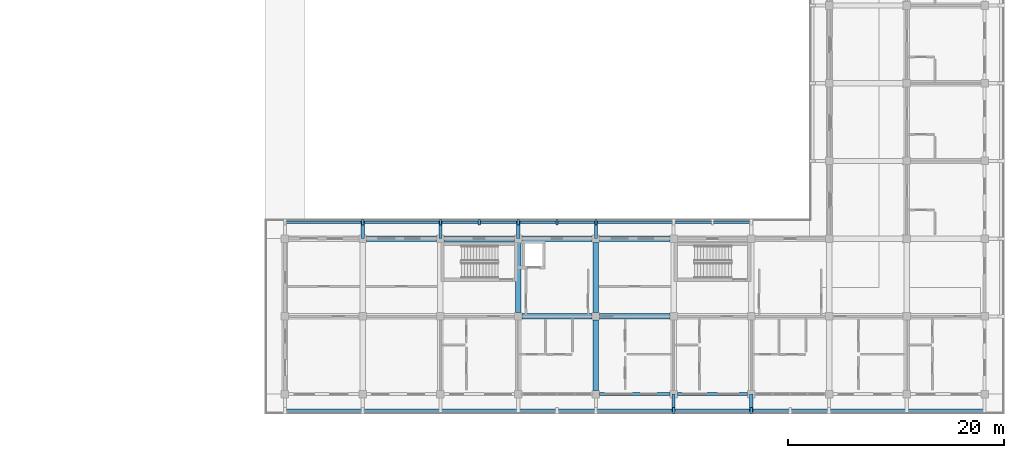
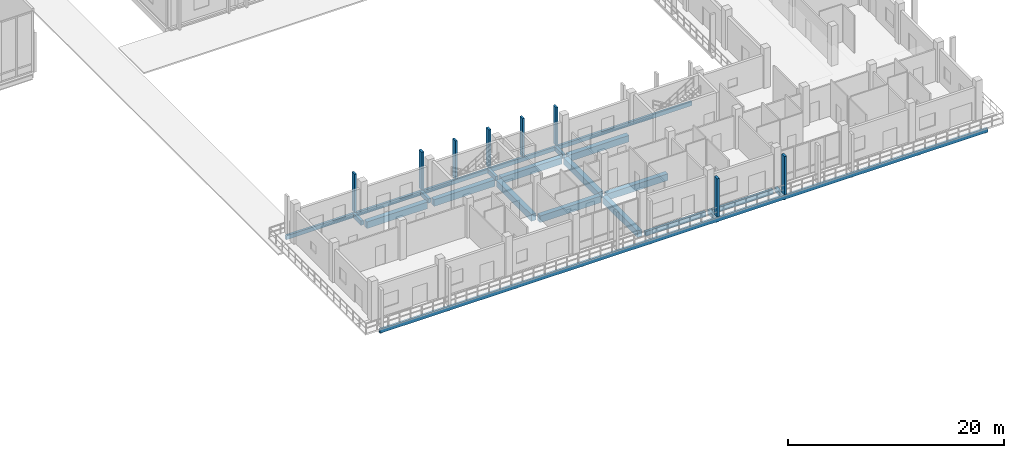
# One storey, part 47 of 110: 19 beams, 8 members.
"""IFC4 building model written with IfcOpenShell, lengths in metres."""

from ifc_helpers import new_model, si_unit, direction, frame, origin, origin_2d, place, context, subcontext, project, spatial, rectangle, extrude, material, material_profile, profile_set, type_object, element, save


model = new_model("IFC4")

# Units and contexts
model_context = context("Model", 3, precision=1e-05, world=origin(), true_north=direction((0.0, 1.0)))
body_context = subcontext(model_context, "Body", "Model", "MODEL_VIEW")
ifc_project = project(units=[si_unit("LENGTHUNIT", "METRE"), si_unit("AREAUNIT", "SQUARE_METRE"), si_unit("VOLUMEUNIT", "CUBIC_METRE"), si_unit("PLANEANGLEUNIT", "RADIAN"), si_unit("MASSUNIT", "GRAM", prefix="KILO")], contexts=[model_context])

# Site, building, storey
site_placement = place(None, origin())
site = spatial("IfcSite", under=ifc_project, at=site_placement, CompositionType="ELEMENT")
building_placement = place(site_placement, origin())
building = spatial("IfcBuilding", under=site, at=building_placement, Name="Suanplinth Sawtooth Commons", CompositionType="ELEMENT")
storey_placement = place(building_placement, frame((0.0, 0.0, 4.5)))
storey = spatial("IfcBuildingStorey", under=building, at=storey_placement, Name="L01", CompositionType="ELEMENT", Elevation=4.5)

# Beams
ifc_material_1 = material(Name="Concrete C40/50", Category="concrete")
ifc_material_profile_1 = material_profile(ifc_material_1, rectangle(XDim=0.5, YDim=0.75, at=origin_2d()), Name="RC-GDR 500x750")
ifc_profile_set_1 = profile_set([ifc_material_profile_1], Name="Concrete C40/50")
beam_type_1 = type_object("IfcBeamType", Name="B-03", PredefinedType="USERDEFINED", material=ifc_profile_set_1)
for number, where, z_axis, x_axis, name in (
    (1, (129.949951171875, 14.39990234375, -0.675048828125), (1.0, 0.0, 0.0), (0.0, 1.0, 0.0), "BMX-L01-C-18-2"),
    (2, (137.14990234375, 14.39990234375, -0.675048828125), (1.0, 0.0, 0.0), (0.0, 1.0, 0.0), "BMX-L01-C-19-2"),
    (3, (144.35009765625, 7.199951171875, -0.675048828125), (1.0, 0.0, 0.0), (0.0, 1.0, 0.0), "BMX-L01-C-20-1"),
    (4, (144.35009765625, 14.39990234375, -0.675048828125), (1.0, 0.0, 0.0), (0.0, 1.0, 0.0), "BMX-L01-C-20-2"),
    (5, (151.550048828125, 7.199951171875, -0.675048828125), (1.0, 0.0, 0.0), (0.0, 1.0, 0.0), "BMX-L01-C-21-1"),
    (6, (151.550048828125, 14.39990234375, -0.675048828125), (1.0, 0.0, 0.0), (0.0, 1.0, 0.0), "BMX-L01-C-21-2"),
    (7, (144.0, 7.550048828125, -0.675048828125), (0.0, 1.0, 0.0), (-1.0, 0.0, 0.0), "BMY-L01-C-20-1"),
    (8, (151.199951171875, 0.35009765625, -0.675048828125), (0.0, 1.0, 0.0), (-1.0, 0.0, 0.0), "BMY-L01-C-21-0"),
    (9, (151.199951171875, 7.550048828125, -0.675048828125), (0.0, 1.0, 0.0), (-1.0, 0.0, 0.0), "BMY-L01-C-21-1"),
):
    element("IfcBeam", number, at=place(storey_placement, frame(where, z_axis=z_axis, x_axis=x_axis)), inside=storey, type_object=beam_type_1, Name=name, ObjectType="GIRDER", PredefinedType="USERDEFINED", context=body_context, shape_type="SweptSolid", body=[
        extrude(rectangle(XDim=0.5, YDim=0.75, at=origin_2d()), origin(), (0.0, 0.0, 1.0), 6.5),
    ])
ifc_material_2 = material(Name="Precast concrete C40/50", Category="concrete")
ifc_material_profile_2 = material_profile(ifc_material_2, rectangle(XDim=0.300048828125, YDim=0.5, at=origin_2d()), Name="PC-BM 300x500")
ifc_profile_set_2 = profile_set([ifc_material_profile_2], Name="Precast concrete C40/50")
beam_type_2 = type_object("IfcBeamType", Name="B-07", PredefinedType="BEAM", material=ifc_profile_set_2)
for number, where, z_axis, x_axis, name in (
    (10, (158.39990234375, 0.0, -0.429931640625), (0.0, -1.0, 0.0), (1.0, 0.0, 0.0), "Balcony Outrigger L01-C-S-22"),
    (11, (165.60009765625, 0.0, -0.429931640625), (0.0, -1.0, 0.0), (1.0, 0.0, 0.0), "Balcony Outrigger L01-C-S-23"),
):
    element("IfcBeam", number, at=place(storey_placement, frame(where, z_axis=z_axis, x_axis=x_axis)), inside=storey, type_object=beam_type_2, Name=name, PredefinedType="BEAM", context=body_context, shape_type="SweptSolid", body=[
        extrude(rectangle(XDim=0.300048828125, YDim=0.5, at=origin_2d()), origin(), (0.0, 0.0, 1.0), 1.639892578125),
    ])
for number, where, z_axis, x_axis, name in (
    (12, (129.60009765625, 14.39990234375, -0.425048828125), (0.0, 1.0, 0.0), (-1.0, 0.0, 0.0), "Balcony Outrigger L01-C-NC-18"),
    (13, (136.800048828125, 14.39990234375, -0.425048828125), (0.0, 1.0, 0.0), (-1.0, 0.0, 0.0), "Balcony Outrigger L01-C-NC-19"),
    (14, (144.0, 14.39990234375, -0.425048828125), (0.0, 1.0, 0.0), (-1.0, 0.0, 0.0), "Balcony Outrigger L01-C-NC-20"),
    (15, (151.199951171875, 14.39990234375, -0.425048828125), (0.0, 1.0, 0.0), (-1.0, 0.0, 0.0), "Balcony Outrigger L01-C-NC-21"),
):
    element("IfcBeam", number, at=place(storey_placement, frame(where, z_axis=z_axis, x_axis=x_axis)), inside=storey, type_object=beam_type_2, Name=name, PredefinedType="BEAM", context=body_context, shape_type="SweptSolid", body=[
        extrude(rectangle(XDim=0.300048828125, YDim=0.5, at=origin_2d()), origin(), (0.0, 0.0, 1.0), 1.64013671875),
    ])
ifc_material_profile_3 = material_profile(ifc_material_2, rectangle(XDim=0.280029296875, YDim=0.52001953125, at=origin_2d()), Name="PC-SP 280x520")
ifc_profile_set_3 = profile_set([ifc_material_profile_3], Name="Precast concrete C40/50")
beam_type_3 = type_object("IfcBeamType", Name="B-08", PredefinedType="SPANDREL", material=ifc_profile_set_3)
for number, where, z_axis, x_axis, name in (
    (16, (151.550048828125, 0.0, -0.56005859375), (1.0, 0.0, 0.0), (0.0, 1.0, 0.0), "BMX-L01-C-21-0"),
    (17, (158.75, 0.0, -0.56005859375), (1.0, 0.0, 0.0), (0.0, 1.0, 0.0), "BMX-L01-C-22-0"),
):
    element("IfcBeam", number, at=place(storey_placement, frame(where, z_axis=z_axis, x_axis=x_axis)), inside=storey, type_object=beam_type_3, Name=name, PredefinedType="SPANDREL", context=body_context, shape_type="SweptSolid", body=[
        extrude(rectangle(XDim=0.280029296875, YDim=0.52001953125, at=origin_2d()), origin(), (0.0, 0.0, 1.0), 6.5),
    ])
ifc_material_profile_4 = material_profile(ifc_material_2, rectangle(XDim=0.25, YDim=0.449951171875, at=origin_2d()), Name="PC-SP 250x450")
ifc_profile_set_4 = profile_set([ifc_material_profile_4], Name="Precast concrete C40/50")
beam_type_4 = type_object("IfcBeamType", Name="B-09", PredefinedType="SPANDREL", material=ifc_profile_set_4)
beam_1_placement = place(storey_placement, frame((122.25, -1.52001953125, -0.405029296875), z_axis=(1.0, 0.0, 0.0), x_axis=(0.0, 1.0, 0.0)))
element("IfcBeam", 18, at=beam_1_placement, inside=storey, type_object=beam_type_4, Name="Balcony Edge Fascia L01-C-S", PredefinedType="SPANDREL", context=body_context, shape_type="SweptSolid", body=[
    extrude(rectangle(XDim=0.25, YDim=0.449951171875, at=origin_2d()), origin(), (0.0, 0.0, 1.0), 65.10009765625),
])
beam_2_placement = place(storey_placement, frame((122.25, 15.919921875, -0.39990234375), z_axis=(1.0, 0.0, 0.0), x_axis=(0.0, 1.0, 0.0)))
element("IfcBeam", 19, at=beam_2_placement, inside=storey, type_object=beam_type_4, Name="Balcony Edge Fascia L01-C-NC", PredefinedType="SPANDREL", context=body_context, shape_type="SweptSolid", body=[
    extrude(rectangle(XDim=0.25, YDim=0.449951171875, at=origin_2d()), origin(), (0.0, 0.0, 1.0), 43.5),
])

# Members
ifc_material_3 = material(Name="Pigmented precast concrete C40/50", Category="concrete")
ifc_material_profile_5 = material_profile(ifc_material_3, rectangle(XDim=0.25, YDim=0.5400390625, at=origin_2d()), Name="PC-FIN 250x540")
ifc_profile_set_5 = profile_set([ifc_material_profile_5], Name="Pigmented precast concrete C40/50")
member_type_1 = type_object("IfcMemberType", Name="M-11", PredefinedType="USERDEFINED", material=ifc_profile_set_5)
for number, where, z_axis, x_axis, name in (
    (20, (158.39990234375, -1.52001953125, 0.0), (0.0, 0.0, 1.0), (1.0, 0.0, 0.0), "Upright Solar Blade L01-C-S-05"),
    (21, (165.60009765625, -1.52001953125, 0.0), (0.0, 0.0, 1.0), (1.0, 0.0, 0.0), "Upright Solar Blade L01-C-S-06"),
):
    element("IfcMember", number, at=place(storey_placement, frame(where, z_axis=z_axis, x_axis=x_axis)), inside=storey, type_object=member_type_1, Name=name, ObjectType="SHADING FIN", PredefinedType="USERDEFINED", context=body_context, shape_type="SweptSolid", body=[
        extrude(rectangle(XDim=0.25, YDim=0.5400390625, at=origin_2d()), origin(), (0.0, 0.0, 1.0), 4.330078125),
    ])
ifc_material_profile_6 = material_profile(ifc_material_3, rectangle(XDim=0.2099609375, YDim=0.52001953125, at=origin_2d()), Name="PC-FIN 210x520")
ifc_profile_set_6 = profile_set([ifc_material_profile_6], Name="Pigmented precast concrete C40/50")
member_type_2 = type_object("IfcMemberType", Name="M-12", PredefinedType="USERDEFINED", material=ifc_profile_set_6)
for number, where, z_axis, x_axis, name in (
    (22, (129.60009765625, 15.919921875, 0.0), (0.0, 0.0, 1.0), (1.0, 0.0, 0.0), "Upright Solar Blade L01-C-NC-16"),
    (23, (136.800048828125, 15.919921875, 0.0), (0.0, 0.0, 1.0), (1.0, 0.0, 0.0), "Upright Solar Blade L01-C-NC-17"),
    (24, (140.39990234375, 15.919921875, 0.0), (0.0, 0.0, 1.0), (1.0, 0.0, 0.0), "Upright Solar Blade L01-C-NC-18"),
    (25, (144.0, 15.919921875, 0.0), (0.0, 0.0, 1.0), (1.0, 0.0, 0.0), "Upright Solar Blade L01-C-NC-19"),
    (26, (147.60009765625, 15.919921875, 0.0), (0.0, 0.0, 1.0), (1.0, 0.0, 0.0), "Upright Solar Blade L01-C-NC-20"),
    (27, (151.199951171875, 15.919921875, 0.0), (0.0, 0.0, 1.0), (1.0, 0.0, 0.0), "Upright Solar Blade L01-C-NC-21"),
):
    element("IfcMember", number, at=place(storey_placement, frame(where, z_axis=z_axis, x_axis=x_axis)), inside=storey, type_object=member_type_2, Name=name, ObjectType="SHADING FIN", PredefinedType="USERDEFINED", context=body_context, shape_type="SweptSolid", body=[
        extrude(rectangle(XDim=0.2099609375, YDim=0.52001953125, at=origin_2d()), origin(), (0.0, 0.0, 1.0), 4.330078125),
    ])

save(model, "model.ifc")
